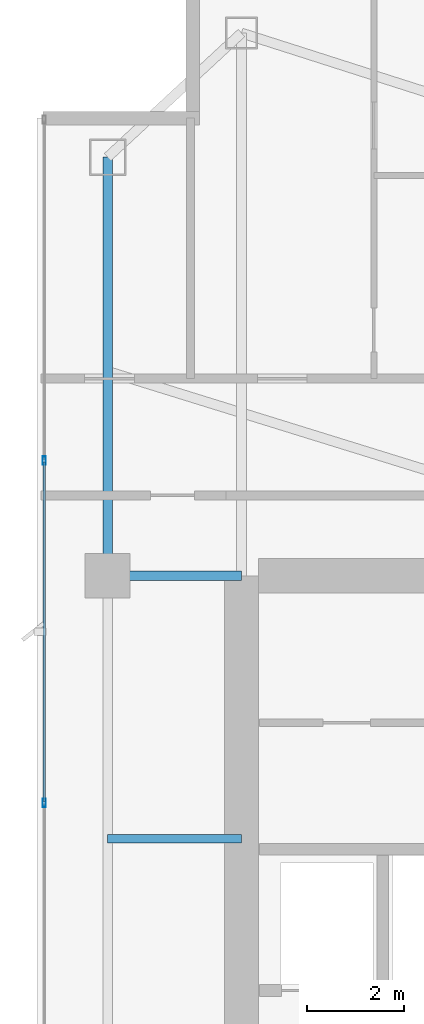
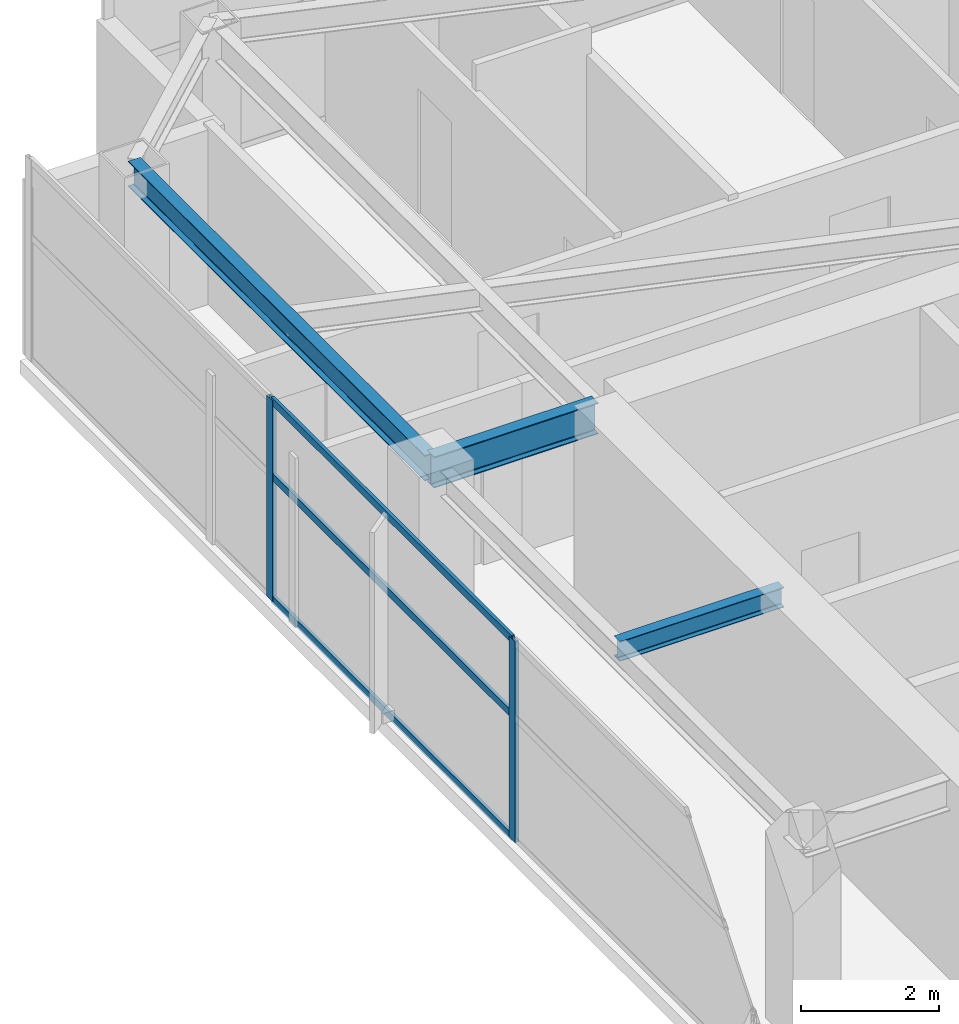
# One storey, part 16 of 29: 5 members, 3 beams, 1 element without a shape of its own.
"""IFC4 building model written with IfcOpenShell, lengths in metres."""

from ifc_helpers import new_model, si_unit, direction, frame, origin, origin_2d, place, context, subcontext, project, spatial, hollow_rectangle, i_section, extrude, material, layer, layer_set, material_profile, profile_set, type_object, element, aggregate, save


model = new_model("IFC4")

# Units and contexts
model_context = context("Model", 3, precision=1e-05, world=origin(), true_north=direction((0.0, 1.0)))
body_context = subcontext(model_context, "Body", "Model", "MODEL_VIEW")
ifc_project = project(units=[si_unit("LENGTHUNIT", "METRE"), si_unit("AREAUNIT", "SQUARE_METRE"), si_unit("VOLUMEUNIT", "CUBIC_METRE"), si_unit("PLANEANGLEUNIT", "RADIAN"), si_unit("MASSUNIT", "GRAM", prefix="KILO")], contexts=[model_context])

# Site, building, storey
site_placement = place(None, origin())
site = spatial("IfcSite", under=ifc_project, at=site_placement, CompositionType="ELEMENT")
building_placement = place(site_placement, origin())
building = spatial("IfcBuilding", under=site, at=building_placement, Name="Calvorn Quay Hotel", CompositionType="ELEMENT")
storey_placement = place(building_placement, frame((0.0, 0.0, 251.39990234375)))
storey = spatial("IfcBuildingStorey", under=building, at=storey_placement, Name="L62", CompositionType="ELEMENT", Elevation=251.39990234375)

# Beams
ifc_material_1 = material(Name="Steel Q355B", Category="steel")
ifc_material_profile_1 = material_profile(ifc_material_1, i_section(OverallWidth=0.199951171875, OverallDepth=0.550048828125, WebThickness=0.010009765625, FlangeThickness=0.01611328125, FilletRadius=0.01806640625, at=origin_2d()), Name="HN550x200x10x16")
ifc_profile_set_1 = profile_set([ifc_material_profile_1], Name="Steel Q355B")
beam_type_1 = type_object("IfcBeamType", Name="BM-GIRD-UPP", PredefinedType="BEAM", material=ifc_profile_set_1)
beam_1_placement = place(storey_placement, frame((1.449951171875, 38.39990234375, 3.26513671875), z_axis=(1.0, 0.0, 0.0), x_axis=(0.0, 1.0, 0.0)))
element("IfcBeam", 1, at=beam_1_placement, inside=storey, type_object=beam_type_1, Name="Beam BG-L62-W3", PredefinedType="BEAM", context=body_context, shape_type="SweptSolid", body=[
    extrude(i_section(OverallWidth=0.199951171875, OverallDepth=0.550048828125, WebThickness=0.010009765625, FlangeThickness=0.01611328125, FilletRadius=0.01806640625, at=origin_2d()), origin(), (0.0, 0.0, 1.0), 2.75),
])
ifc_material_2 = material(Name="Steel Q355B", Category="steel")
ifc_material_profile_2 = material_profile(ifc_material_2, i_section(OverallWidth=0.175048828125, OverallDepth=0.35009765625, WebThickness=0.007080078125, FlangeThickness=0.010986328125, FilletRadius=0.013916015625, at=origin_2d()), Name="HN350x175x7x11")
ifc_profile_set_2 = profile_set([ifc_material_profile_2], Name="Steel Q355B")
beam_type_2 = type_object("IfcBeamType", Name="BM-JOIST-SEC", PredefinedType="JOIST", material=ifc_profile_set_2)
beam_2_placement = place(storey_placement, frame((1.449951171875, 33.0, 3.364990234375), z_axis=(1.0, 0.0, 0.0), x_axis=(0.0, 1.0, 0.0)))
element("IfcBeam", 2, at=beam_2_placement, inside=storey, type_object=beam_type_2, Name="Beam BJ-L62-W4", PredefinedType="JOIST", context=body_context, shape_type="SweptSolid", body=[
    extrude(i_section(OverallWidth=0.175048828125, OverallDepth=0.35009765625, WebThickness=0.007080078125, FlangeThickness=0.010986328125, FilletRadius=0.013916015625, at=origin_2d()), origin(), (0.0, 0.0, 1.0), 2.75),
])
ifc_material_3 = material(Name="Steel Q355B", Category="steel")
ifc_material_profile_3 = material_profile(ifc_material_3, i_section(OverallWidth=0.199951171875, OverallDepth=0.449951171875, WebThickness=0.009033203125, FlangeThickness=0.013916015625, FilletRadius=0.01611328125, at=origin_2d()), Name="HN450x200x9x14")
ifc_profile_set_3 = profile_set([ifc_material_profile_3], Name="Steel Q355B")
beam_type_3 = type_object("IfcBeamType", Name="BM-SPANDREL-Z3", PredefinedType="SPANDREL", material=ifc_profile_set_3)
beam_3_placement = place(storey_placement, frame((1.449951171875, 38.39990234375, 3.315185546875), z_axis=(0.0, 1.0, 0.0), x_axis=(-1.0, 0.0, 0.0)))
element("IfcBeam", 3, at=beam_3_placement, inside=storey, type_object=beam_type_3, Name="Beam BSP-L62-W4", PredefinedType="SPANDREL", context=body_context, shape_type="SweptSolid", body=[
    extrude(i_section(OverallWidth=0.199951171875, OverallDepth=0.449951171875, WebThickness=0.009033203125, FlangeThickness=0.013916015625, FilletRadius=0.01611328125, at=origin_2d()), origin(), (0.0, 0.0, 1.0), 8.60009765625),
])

# Curtain wall, members
ifc_material_4 = material(Name="Champagne Bronze Anodised Aluminium and Low-E Glass", Category="aluminium")
ifc_layer = layer(ifc_material_4, 0.219970703125)
ifc_layer_set = layer_set([ifc_layer], Name="CW-SYS-Z4")
curtain_wall_type = type_object("IfcCurtainWallType", Name="CW-SYS-Z4", PredefinedType="NOTDEFINED", material=ifc_layer_set)
curtain_wall_placement = place(storey_placement, origin())
curtain_wall = element("IfcCurtainWall", 4, at=curtain_wall_placement, inside=storey, type_object=curtain_wall_type, Name="Tower West Curtain Wall (L62)", PredefinedType="NOTDEFINED")
ifc_material_5 = material(Name="Champagne Bronze Anodised Aluminium 6063-T6", Category="aluminium")
ifc_material_profile_4 = material_profile(ifc_material_5, hollow_rectangle(XDim=0.06494140625, YDim=0.169921875, WallThickness=0.00341796875, at=origin_2d()), Name="ALU-M170x65x3.5")
ifc_profile_set_4 = profile_set([ifc_material_profile_4], Name="Champagne Bronze Anodised Aluminium 6063-T6")
member_type_1 = type_object("IfcMemberType", Name="CW-SYS-Z4-MUL", PredefinedType="MULLION", material=ifc_profile_set_4)
member_1_placement = place(storey_placement, frame((0.14990234375, 33.7333984375, 0.0), z_axis=(0.0, 0.0, 1.0), x_axis=(-1.0, 0.0, 0.0)))
member_1 = element("IfcMember", 5, at=member_1_placement, type_object=member_type_1, Name="CW-L62-W mullion 5", PredefinedType="MULLION", context=body_context, shape_type="SweptSolid", body=[
    extrude(hollow_rectangle(XDim=0.06494140625, YDim=0.169921875, WallThickness=0.00341796875, at=origin_2d()), origin(), (0.0, 0.0, 1.0), 3.56005859375),
])
member_2_placement = place(storey_placement, frame((0.14990234375, 40.7666015625, 0.0), z_axis=(0.0, 0.0, 1.0), x_axis=(-1.0, 0.0, 0.0)))
member_2 = element("IfcMember", 6, at=member_2_placement, type_object=member_type_1, Name="CW-L62-W mullion 6", PredefinedType="MULLION", context=body_context, shape_type="SweptSolid", body=[
    extrude(hollow_rectangle(XDim=0.06494140625, YDim=0.169921875, WallThickness=0.00341796875, at=origin_2d()), origin(), (0.0, 0.0, 1.0), 3.56005859375),
])
ifc_material_6 = material(Name="Champagne Bronze Anodised Aluminium 6063-T6", Category="aluminium")
ifc_material_profile_5 = material_profile(ifc_material_6, hollow_rectangle(XDim=0.054931640625, YDim=0.1298828125, WallThickness=0.003173828125, at=origin_2d()), Name="ALU-T130x55x3.2")
ifc_profile_set_5 = profile_set([ifc_material_profile_5], Name="Champagne Bronze Anodised Aluminium 6063-T6")
member_type_2 = type_object("IfcMemberType", Name="CW-SYS-Z4-TRN", PredefinedType="USERDEFINED", material=ifc_profile_set_5)
member_3_placement = place(storey_placement, frame((0.14990234375, 33.763427734375, 0.030029296875), z_axis=(0.0, 1.0, 0.0), x_axis=(-1.0, 0.0, 0.0)))
member_3 = element("IfcMember", 7, at=member_3_placement, type_object=member_type_2, Name="CW-L62-W transom 5.1", ObjectType="TRANSOM", PredefinedType="USERDEFINED", context=body_context, shape_type="SweptSolid", body=[
    extrude(hollow_rectangle(XDim=0.054931640625, YDim=0.1298828125, WallThickness=0.003173828125, at=origin_2d()), origin(), (0.0, 0.0, 1.0), 6.97314453125),
])
member_4_placement = place(storey_placement, frame((0.14990234375, 33.763427734375, 2.2001953125), z_axis=(0.0, 1.0, 0.0), x_axis=(-1.0, 0.0, 0.0)))
member_4 = element("IfcMember", 8, at=member_4_placement, type_object=member_type_2, Name="CW-L62-W transom 5.2", ObjectType="TRANSOM", PredefinedType="USERDEFINED", context=body_context, shape_type="SweptSolid", body=[
    extrude(hollow_rectangle(XDim=0.054931640625, YDim=0.1298828125, WallThickness=0.003173828125, at=origin_2d()), origin(), (0.0, 0.0, 1.0), 6.97314453125),
])
member_5_placement = place(storey_placement, frame((0.14990234375, 33.763427734375, 3.530029296875), z_axis=(0.0, 1.0, 0.0), x_axis=(-1.0, 0.0, 0.0)))
member_5 = element("IfcMember", 9, at=member_5_placement, type_object=member_type_2, Name="CW-L62-W transom 5.3", ObjectType="TRANSOM", PredefinedType="USERDEFINED", context=body_context, shape_type="SweptSolid", body=[
    extrude(hollow_rectangle(XDim=0.054931640625, YDim=0.1298828125, WallThickness=0.003173828125, at=origin_2d()), origin(), (0.0, 0.0, 1.0), 6.97314453125),
])
aggregate(curtain_wall, [member_1, member_2, member_3, member_4, member_5])

save(model, "model.ifc")
